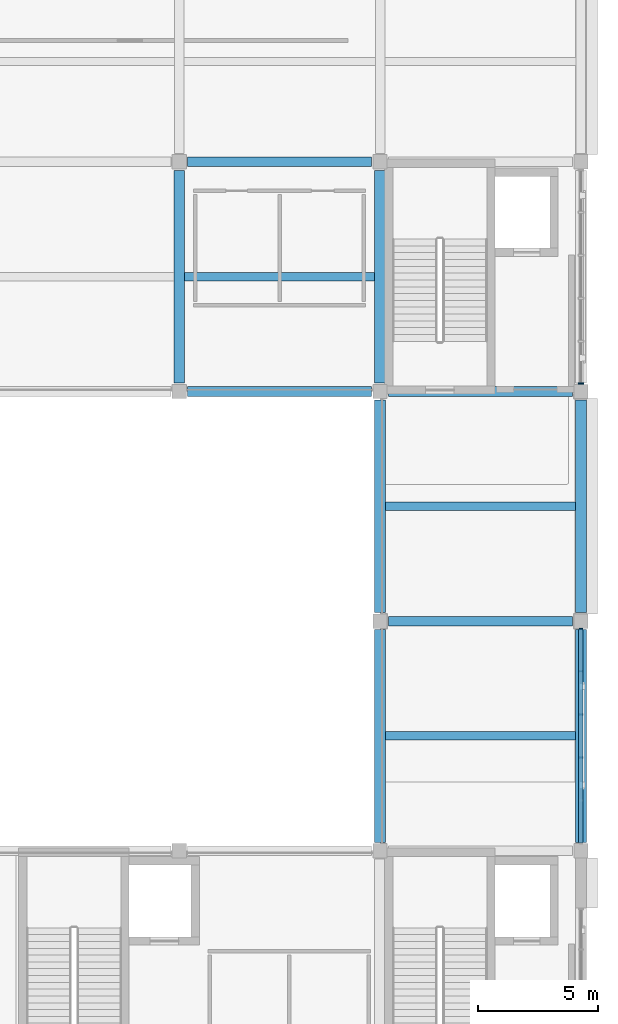
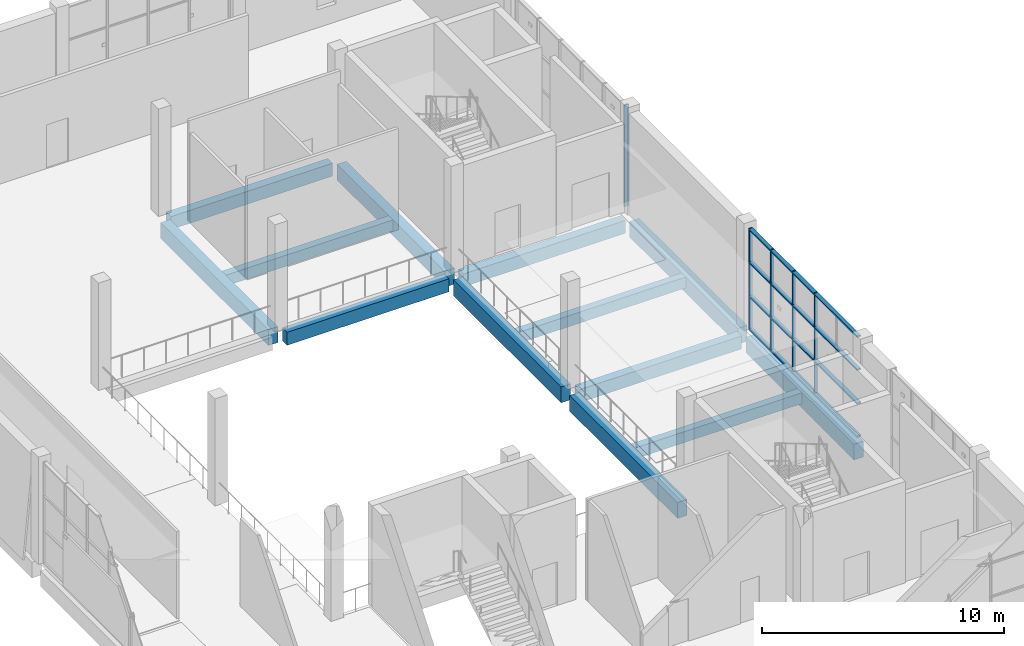
# One storey, part 25 of 57: 13 beams, 9 members, 2 elements without a shape of their own.
"""IFC4 building model written with IfcOpenShell, lengths in metres."""

import ifcopenshell
import ifcopenshell.guid

model = None  # the IFC model being written
_history = None  # IfcOwnerHistory: only IFC2X3 demands one
_inside = {}  # id of a spatial element -> (the spatial element, [elements in it])
_under = {}  # id of a project, library or spatial element -> (it, [spatial elements below it])
_declared = {}  # id of a project -> (the project, [libraries it declares])
_typed = {}  # id of a type object -> (the type object, [elements of that type])
_made_of = {}  # id of a material, layer set ... -> (it, [elements and type objects made of it])


def new_model(schema):
    """Start an empty IFC model of exactly this schema.

    Asked for "IFC4X3", IfcOpenShell would pick the latest addendum, in which some entities
    have other attributes; the version numbers below select the first issue.
    IFC2X3 requires an IfcOwnerHistory on every rooted entity: one is made here for all.
    """
    global model, _history
    if schema == "IFC4X3":
        model = ifcopenshell.file(schema_version=(4, 3, 0, 0))
    else:
        model = ifcopenshell.file(schema=schema)
    _inside.clear()
    _under.clear()
    _declared.clear()
    _typed.clear()
    _made_of.clear()
    _history = None
    if model.schema == "IFC2X3":
        org = make("IfcOrganization", Name="unknown")
        user = make(
            "IfcPersonAndOrganization",
            ThePerson=make("IfcPerson", FamilyName="unknown"),
            TheOrganization=org,
        )
        app = make(
            "IfcApplication",
            ApplicationDeveloper=org,
            Version="unknown",
            ApplicationFullName="unknown",
            ApplicationIdentifier="unknown",
        )
        _history = make(
            "IfcOwnerHistory",
            OwningUser=user,
            OwningApplication=app,
            ChangeAction="ADDED",
            CreationDate=0,
        )
    return model


def make(cls, **values):
    """One entity of the class cls with the attributes given. An attribute that is None is left unset."""
    return model.create_entity(
        cls, **{name: value for name, value in values.items() if value is not None}
    )


def rooted(cls, **values):
    """An entity with a GlobalId (a new one), such as an element, a storey or a relation."""
    return make(cls, GlobalId=ifcopenshell.guid.new(), OwnerHistory=_history, **values)


def si_unit(unit_type, name, prefix=None):
    """IfcSIUnit, for example si_unit("LENGTHUNIT", "METRE", prefix="MILLI")."""
    return make("IfcSIUnit", UnitType=unit_type, Prefix=prefix, Name=name)


def assignment(units):
    """IfcUnitAssignment: the units of a project."""
    return None if units is None else make("IfcUnitAssignment", Units=units)


def point(xyz):
    """IfcCartesianPoint."""
    return None if xyz is None else make("IfcCartesianPoint", Coordinates=xyz)


def direction(xyz):
    """IfcDirection."""
    return None if xyz is None else make("IfcDirection", DirectionRatios=xyz)


def frame(location, z_axis=None, x_axis=None):
    """IfcAxis2Placement3D, a coordinate frame: its origin and axes. An axis left out is left unset."""
    return make(
        "IfcAxis2Placement3D",
        Location=point(location),
        Axis=direction(z_axis),
        RefDirection=direction(x_axis),
    )


def frame_2d(location, x_axis=None):
    """IfcAxis2Placement2D, a coordinate frame in the plane: its origin and x axis."""
    return make(
        "IfcAxis2Placement2D", Location=point(location), RefDirection=direction(x_axis)
    )


def origin():
    """The frame at (0, 0, 0) with its axes left unset."""
    return frame((0.0, 0.0, 0.0))


def origin_2d():
    """The frame at (0, 0) in the plane with its x axis left unset."""
    return frame_2d((0.0, 0.0))


def place(relative_to, where):
    """IfcLocalPlacement: puts the frame where relative to a parent placement (None: the world)."""
    return make(
        "IfcLocalPlacement", PlacementRelTo=relative_to, RelativePlacement=where
    )


def context(
    kind, dimensions, precision=None, world=None, true_north=None, identifier=None
):
    """IfcGeometricRepresentationContext, for example the 3D "Model" context."""
    return make(
        "IfcGeometricRepresentationContext",
        ContextIdentifier=identifier,
        ContextType=kind,
        CoordinateSpaceDimension=dimensions,
        Precision=precision,
        WorldCoordinateSystem=world,
        TrueNorth=true_north,
    )


def subcontext(parent, identifier, kind, view, scale=None):
    """IfcGeometricRepresentationSubContext, for example "Body" below "Model"."""
    return make(
        "IfcGeometricRepresentationSubContext",
        ContextIdentifier=identifier,
        ContextType=kind,
        ParentContext=parent,
        TargetScale=scale,
        TargetView=view,
    )


def project(units=None, contexts=None):
    """IfcProject with its units and contexts."""
    return rooted(
        "IfcProject",
        Name="project",
        RepresentationContexts=contexts,
        UnitsInContext=assignment(units),
    )


def spatial(cls, under=None, at=None, **own):
    """A site, building, storey or space (cls), placed at a placement, below another one or the project."""
    s = rooted(cls, ObjectPlacement=at, **own)
    if under is not None:
        _under.setdefault(under.id(), (under, []))[1].append(s)
    return s


def profile(cls, at=None, kind="AREA", **sizes):
    """A parametric profile (cls). Its sizes go by their IFC names, for example OverallWidth=200.0."""
    return make(cls, ProfileType=kind, Position=at, **sizes)


def rectangle(**sizes):
    """IfcRectangleProfileDef."""
    return profile("IfcRectangleProfileDef", **sizes)


def extrude(swept, where, along, depth):
    """IfcExtrudedAreaSolid: the profile swept, set in the frame where, extruded along a direction by depth."""
    return make(
        "IfcExtrudedAreaSolid",
        SweptArea=swept,
        Position=where,
        ExtrudedDirection=direction(along),
        Depth=depth,
    )


def shape(context_of_items, identifier, shape_type, items):
    """IfcShapeRepresentation: the items that make up one representation, for example the "Body"."""
    return make(
        "IfcShapeRepresentation",
        ContextOfItems=context_of_items,
        RepresentationIdentifier=identifier,
        RepresentationType=shape_type,
        Items=items,
    )


def material(Name=None, Category=None):
    """IfcMaterial."""
    return make("IfcMaterial", Name=Name, Category=Category)


def material_profile(
    of_material, cross_section, Name=None, Category=None, Priority=None
):
    """IfcMaterialProfile: a cross section and its material."""
    return make(
        "IfcMaterialProfile",
        Name=Name,
        Material=of_material,
        Profile=cross_section,
        Priority=Priority,
        Category=Category,
    )


def profile_set(profiles, Name=None, composite=None):
    """IfcMaterialProfileSet."""
    return make(
        "IfcMaterialProfileSet",
        Name=Name,
        MaterialProfiles=profiles,
        CompositeProfile=composite,
    )


def made_of(thing, what):
    """Note that an element or type object is made of a material, layer set ...; save() writes the relation."""
    if what is not None:
        _made_of.setdefault(what.id(), (what, []))[1].append(thing)
    return thing


def type_object(cls, material=None, **own):
    """A type object (cls), such as IfcWallType, which elements share."""
    return made_of(rooted(cls, **own), material)


def element(
    cls,
    number,
    at=None,
    inside=None,
    cuts=None,
    type_object=None,
    material=None,
    context=None,
    identifier="Body",
    shape_type=None,
    held_by="IfcProductDefinitionShape",
    body=None,
    shapes=None,
    **own,
):
    """One element of the class cls, such as IfcWall. Its Tag is "e" and its number.

    at: its placement. inside: the storey or other place that contains it. cuts: it is an
    opening in that element (IfcRelVoidsElement). A single representation is given by context,
    identifier, shape_type and body (its items); several are given by shapes. held_by: the class
    of the entity that holds the representations. save() writes the other relations.
    """
    e = rooted(cls, Tag="e%d" % number, ObjectPlacement=at, **own)
    if body is not None:
        shapes = [shape(context, identifier, shape_type, body)]
    if shapes is not None:
        e.Representation = make(held_by, Representations=shapes)
    if inside is not None:
        _inside.setdefault(inside.id(), (inside, []))[1].append(e)
    if cuts is not None:
        rooted(
            "IfcRelVoidsElement", RelatingBuildingElement=cuts, RelatedOpeningElement=e
        )
    if type_object is not None:
        _typed.setdefault(type_object.id(), (type_object, []))[1].append(e)
    return made_of(e, material)


def aggregate(whole, parts):
    """IfcRelAggregates: a whole, such as a stair, and the parts it consists of."""
    return rooted("IfcRelAggregates", RelatingObject=whole, RelatedObjects=parts)


def save(model, path):
    """Write the relations noted so far, then the file.

    IfcRelAggregates (storeys below a building ...), IfcRelContainedInSpatialStructure (elements
    in a storey), IfcRelDefinesByType, IfcRelAssociatesMaterial and IfcRelDeclares: one each for
    every whole, place, type object, material and project.
    """
    for whole, parts in _under.values():
        aggregate(whole, parts)
    for where, things in _inside.values():
        rooted(
            "IfcRelContainedInSpatialStructure",
            RelatedElements=things,
            RelatingStructure=where,
        )
    for kind, things in _typed.values():
        rooted("IfcRelDefinesByType", RelatedObjects=things, RelatingType=kind)
    for what, things in _made_of.values():
        rooted("IfcRelAssociatesMaterial", RelatedObjects=things, RelatingMaterial=what)
    for by, libraries in _declared.values():
        rooted("IfcRelDeclares", RelatingContext=by, RelatedDefinitions=libraries)
    model.write(path)


model = new_model("IFC4")

# Units and contexts
model_context = context("Model", 3, precision=1e-05, world=origin(), true_north=direction((0.0, 1.0)))
body_context = subcontext(model_context, "Body", "Model", "MODEL_VIEW")
ifc_project = project(units=[si_unit("LENGTHUNIT", "METRE"), si_unit("AREAUNIT", "SQUARE_METRE"), si_unit("VOLUMEUNIT", "CUBIC_METRE"), si_unit("PLANEANGLEUNIT", "RADIAN"), si_unit("MASSUNIT", "GRAM", prefix="KILO")], contexts=[model_context])

# Site, building, storey
site_placement = place(None, origin())
site = spatial("IfcSite", under=ifc_project, at=site_placement, CompositionType="ELEMENT")
building_placement = place(site_placement, origin())
building = spatial("IfcBuilding", under=site, at=building_placement, Name="Shalvenor Court Art Gallery", CompositionType="ELEMENT")
storey_placement = place(building_placement, frame((0.0, 0.0, 16.800048828125)))
storey = spatial("IfcBuildingStorey", under=building, at=storey_placement, Name="L03", CompositionType="ELEMENT", Elevation=16.800048828125)

# Beams
ifc_material_1 = material(Name="Concrete C40/50", Category="concrete")
ifc_material_profile_1 = material_profile(ifc_material_1, rectangle(XDim=0.449951171875, YDim=0.800048828125, at=origin_2d()), Name="RC 450x800")
ifc_profile_set_1 = profile_set([ifc_material_profile_1], Name="Concrete C40/50")
beam_type_1 = type_object("IfcBeamType", Name="B-03", PredefinedType="BEAM", material=ifc_profile_set_1)
for number, where, z_axis, x_axis, name in (
    (1, (159.60009765625, 79.550048828125, -0.699951171875), (0.0, 1.0, 0.0), (-1.0, 0.0, 0.0), "L03 Girder BM-L03-B-03-1026"),
    (2, (168.0, 60.35009765625, -0.699951171875), (0.0, 1.0, 0.0), (-1.0, 0.0, 0.0), "L03 Girder BM-L03-B-03-1030"),
):
    element("IfcBeam", number, at=place(storey_placement, frame(where, z_axis=z_axis, x_axis=x_axis)), inside=storey, type_object=beam_type_1, Name=name, PredefinedType="BEAM", context=body_context, shape_type="SweptSolid", body=[
        extrude(rectangle(XDim=0.449951171875, YDim=0.800048828125, at=origin_2d()), origin(), (0.0, 0.0, 1.0), 8.89990234375),
    ])
beam_1_placement = place(storey_placement, frame((168.0, 69.949951171875, -0.699951171875), z_axis=(0.0, 1.0, 0.0), x_axis=(-1.0, 0.0, 0.0)))
element("IfcBeam", 3, at=beam_1_placement, inside=storey, type_object=beam_type_1, Name="L03 Girder BM-L03-B-03-1031", PredefinedType="BEAM", context=body_context, shape_type="SweptSolid", body=[
    extrude(rectangle(XDim=0.449951171875, YDim=0.800048828125, at=origin_2d()), origin(), (0.0, 0.0, 1.0), 8.900146484375),
])
for number, where, z_axis, x_axis, name in (
    (4, (168.0, 79.550048828125, -0.699951171875), (0.0, 1.0, 0.0), (-1.0, 0.0, 0.0), "L03 Girder BM-L03-B-03-1032"),
    (5, (176.39990234375, 60.35009765625, -0.699951171875), (0.0, 1.0, 0.0), (-1.0, 0.0, 0.0), "L03 Girder BM-L03-B-03-1036"),
):
    element("IfcBeam", number, at=place(storey_placement, frame(where, z_axis=z_axis, x_axis=x_axis)), inside=storey, type_object=beam_type_1, Name=name, PredefinedType="BEAM", context=body_context, shape_type="SweptSolid", body=[
        extrude(rectangle(XDim=0.449951171875, YDim=0.800048828125, at=origin_2d()), origin(), (0.0, 0.0, 1.0), 8.89990234375),
    ])
beam_2_placement = place(storey_placement, frame((176.39990234375, 69.949951171875, -0.699951171875), z_axis=(0.0, 1.0, 0.0), x_axis=(-1.0, 0.0, 0.0)))
element("IfcBeam", 6, at=beam_2_placement, inside=storey, type_object=beam_type_1, Name="L03 Girder BM-L03-B-03-1037", PredefinedType="BEAM", context=body_context, shape_type="SweptSolid", body=[
    extrude(rectangle(XDim=0.449951171875, YDim=0.800048828125, at=origin_2d()), origin(), (0.0, 0.0, 1.0), 8.900146484375),
])
ifc_material_2 = material(Name="Concrete C40/50", Category="concrete")
ifc_material_profile_2 = material_profile(ifc_material_2, rectangle(XDim=0.39990234375, YDim=0.64990234375, at=origin_2d()), Name="RC 400x650")
ifc_profile_set_2 = profile_set([ifc_material_profile_2], Name="Concrete C40/50")
beam_type_2 = type_object("IfcBeamType", Name="B-06", PredefinedType="BEAM", material=ifc_profile_set_2)
for number, where, z_axis, x_axis, name in (
    (7, (168.35009765625, 69.60009765625, -0.625), (1.0, 0.0, 0.0), (0.0, 1.0, 0.0), "L03 Girder BM-L03-B-06-1080"),
    (8, (159.949951171875, 79.199951171875, -0.625), (1.0, 0.0, 0.0), (0.0, 1.0, 0.0), "L03 Girder BM-L03-B-06-1083"),
    (9, (168.35009765625, 79.199951171875, -0.625), (1.0, 0.0, 0.0), (0.0, 1.0, 0.0), "L03 Girder BM-L03-B-06-1084"),
    (10, (159.949951171875, 88.800048828125, -0.625), (1.0, 0.0, 0.0), (0.0, 1.0, 0.0), "L03 Girder BM-L03-B-06-1090"),
):
    element("IfcBeam", number, at=place(storey_placement, frame(where, z_axis=z_axis, x_axis=x_axis)), inside=storey, type_object=beam_type_2, Name=name, PredefinedType="BEAM", context=body_context, shape_type="SweptSolid", body=[
        extrude(rectangle(XDim=0.39990234375, YDim=0.64990234375, at=origin_2d()), origin(), (0.0, 0.0, 1.0), 7.699951171875),
    ])

# Curtain wall, member
ifc_material_3 = material(Name="Anodised aluminium and low-iron glass curtain wall", Category="aluminium")
curtain_wall_type_1 = type_object("IfcCurtainWallType", Name="CW-5x3-90-51-422", PredefinedType="USERDEFINED", material=ifc_material_3)
curtain_wall_1_placement = place(storey_placement, origin())
curtain_wall_1 = element("IfcCurtainWall", 11, at=curtain_wall_1_placement, inside=storey, type_object=curtain_wall_type_1, Name="L03 V1 Curtain Wall CW-L03-022", ObjectType="CURTAIN WALL", PredefinedType="USERDEFINED")
ifc_material_4 = material(Name="Anodised aluminium mullion", Category="aluminium")
ifc_material_profile_3 = material_profile(ifc_material_4, rectangle(XDim=0.074951171875, YDim=0.219970703125, at=origin_2d()), Name="CWM-04")
ifc_profile_set_3 = profile_set([ifc_material_profile_3], Name="Anodised aluminium mullion")
member_type_1 = type_object("IfcMemberType", Name="CWM-04", PredefinedType="MULLION", material=ifc_profile_set_3)
member_1_placement = place(storey_placement, frame((176.39990234375, 79.53759765625, 0.0), z_axis=(0.0, 0.0, 1.0), x_axis=(0.0, -1.0, 0.0)))
member_1 = element("IfcMember", 12, at=member_1_placement, type_object=member_type_1, Name="CW-5x3-90-51-422 mullion 6", PredefinedType="MULLION", context=body_context, shape_type="SweptSolid", body=[
    extrude(rectangle(XDim=0.074951171875, YDim=0.219970703125, at=origin_2d()), origin(), (0.0, 0.0, 1.0), 5.099853515625),
])
aggregate(curtain_wall_1, [member_1])

# Curtain wall, members
ifc_material_5 = material(Name="Anodised aluminium and low-iron glass curtain wall", Category="aluminium")
curtain_wall_type_2 = type_object("IfcCurtainWallType", Name="CW-5x3-90-51-642", PredefinedType="USERDEFINED", material=ifc_material_5)
curtain_wall_2_placement = place(storey_placement, origin())
curtain_wall_2 = element("IfcCurtainWall", 13, at=curtain_wall_2_placement, inside=storey, type_object=curtain_wall_type_2, Name="L03 V1 Curtain Wall CW-L03-023", ObjectType="CURTAIN WALL", PredefinedType="USERDEFINED")
ifc_material_6 = material(Name="Anodised aluminium mullion", Category="aluminium")
ifc_material_profile_4 = material_profile(ifc_material_6, rectangle(XDim=0.054931640625, YDim=0.139892578125, at=origin_2d()), Name="CWM-06")
ifc_profile_set_4 = profile_set([ifc_material_profile_4], Name="Anodised aluminium mullion")
member_type_2 = type_object("IfcMemberType", Name="CWM-06", PredefinedType="MULLION", material=ifc_profile_set_4)
member_2_placement = place(storey_placement, frame((176.39990234375, 69.2724609375, 0.0), z_axis=(0.0, 0.0, 1.0), x_axis=(0.0, -1.0, 0.0)))
member_2 = element("IfcMember", 14, at=member_2_placement, type_object=member_type_2, Name="CW-5x3-90-51-642 mullion 1", PredefinedType="MULLION", context=body_context, shape_type="SweptSolid", body=[
    extrude(rectangle(XDim=0.054931640625, YDim=0.139892578125, at=origin_2d()), origin(), (0.0, 0.0, 1.0), 5.099853515625),
])
member_3_placement = place(storey_placement, frame((176.39990234375, 67.5, 0.0), z_axis=(0.0, 0.0, 1.0), x_axis=(0.0, -1.0, 0.0)))
member_3 = element("IfcMember", 15, at=member_3_placement, type_object=member_type_2, Name="CW-5x3-90-51-642 mullion 2", PredefinedType="MULLION", context=body_context, shape_type="SweptSolid", body=[
    extrude(rectangle(XDim=0.054931640625, YDim=0.139892578125, at=origin_2d()), origin(), (0.0, 0.0, 1.0), 5.099853515625),
])
member_4_placement = place(storey_placement, frame((176.39990234375, 65.699951171875, 0.0), z_axis=(0.0, 0.0, 1.0), x_axis=(0.0, -1.0, 0.0)))
member_4 = element("IfcMember", 16, at=member_4_placement, type_object=member_type_2, Name="CW-5x3-90-51-642 mullion 3", PredefinedType="MULLION", context=body_context, shape_type="SweptSolid", body=[
    extrude(rectangle(XDim=0.054931640625, YDim=0.139892578125, at=origin_2d()), origin(), (0.0, 0.0, 1.0), 5.099853515625),
])
member_5_placement = place(storey_placement, frame((176.39990234375, 63.89990234375, 0.0), z_axis=(0.0, 0.0, 1.0), x_axis=(0.0, -1.0, 0.0)))
member_5 = element("IfcMember", 17, at=member_5_placement, type_object=member_type_2, Name="CW-5x3-90-51-642 mullion 4", PredefinedType="MULLION", context=body_context, shape_type="SweptSolid", body=[
    extrude(rectangle(XDim=0.054931640625, YDim=0.139892578125, at=origin_2d()), origin(), (0.0, 0.0, 1.0), 5.099853515625),
])
ifc_material_7 = material(Name="Anodised aluminium transom", Category="aluminium")
ifc_material_profile_5 = material_profile(ifc_material_7, rectangle(XDim=0.18994140625, YDim=0.070068359375, at=origin_2d()), Name="CWT-04")
ifc_profile_set_5 = profile_set([ifc_material_profile_5], Name="Anodised aluminium transom")
member_type_3 = type_object("IfcMemberType", Name="CWT-04", PredefinedType="USERDEFINED", material=ifc_profile_set_5)
member_6_placement = place(storey_placement, frame((176.39990234375, 69.2724609375, 0.034912109375), z_axis=(0.0, -1.0, 0.0), x_axis=(1.0, 0.0, 0.0)))
member_6 = element("IfcMember", 18, at=member_6_placement, type_object=member_type_3, Name="CW-5x3-90-51-642 transom 1", ObjectType="TRANSOM", PredefinedType="USERDEFINED", context=body_context, shape_type="SweptSolid", body=[
    extrude(rectangle(XDim=0.18994140625, YDim=0.070068359375, at=origin_2d()), origin(), (0.0, 0.0, 1.0), 8.945068359375),
])
member_7_placement = place(storey_placement, frame((176.39990234375, 69.2724609375, 1.699951171875), z_axis=(0.0, -1.0, 0.0), x_axis=(1.0, 0.0, 0.0)))
member_7 = element("IfcMember", 19, at=member_7_placement, type_object=member_type_3, Name="CW-5x3-90-51-642 transom 2", ObjectType="TRANSOM", PredefinedType="USERDEFINED", context=body_context, shape_type="SweptSolid", body=[
    extrude(rectangle(XDim=0.18994140625, YDim=0.070068359375, at=origin_2d()), origin(), (0.0, 0.0, 1.0), 8.945068359375),
])
member_8_placement = place(storey_placement, frame((176.39990234375, 69.2724609375, 3.39990234375), z_axis=(0.0, -1.0, 0.0), x_axis=(1.0, 0.0, 0.0)))
member_8 = element("IfcMember", 20, at=member_8_placement, type_object=member_type_3, Name="CW-5x3-90-51-642 transom 3", ObjectType="TRANSOM", PredefinedType="USERDEFINED", context=body_context, shape_type="SweptSolid", body=[
    extrude(rectangle(XDim=0.18994140625, YDim=0.070068359375, at=origin_2d()), origin(), (0.0, 0.0, 1.0), 8.945068359375),
])
member_9_placement = place(storey_placement, frame((176.39990234375, 69.2724609375, 5.06494140625), z_axis=(0.0, -1.0, 0.0), x_axis=(1.0, 0.0, 0.0)))
member_9 = element("IfcMember", 21, at=member_9_placement, type_object=member_type_3, Name="CW-5x3-90-51-642 transom 4", ObjectType="TRANSOM", PredefinedType="USERDEFINED", context=body_context, shape_type="SweptSolid", body=[
    extrude(rectangle(XDim=0.18994140625, YDim=0.070068359375, at=origin_2d()), origin(), (0.0, 0.0, 1.0), 8.945068359375),
])
aggregate(curtain_wall_2, [member_2, member_3, member_4, member_5, member_6, member_7, member_8, member_9])

# Beams
ifc_material_8 = material(Name="Concrete C40/50", Category="concrete")
ifc_material_profile_6 = material_profile(ifc_material_8, rectangle(XDim=0.35009765625, YDim=0.550048828125, at=origin_2d()), Name="RC 350x550")
ifc_profile_set_6 = profile_set([ifc_material_profile_6], Name="Concrete C40/50")
beam_type_3 = type_object("IfcBeamType", Name="J-02", PredefinedType="JOIST", material=ifc_profile_set_6)
for number, where, z_axis, x_axis, name in (
    (22, (159.824951171875, 84.0, -0.574951171875), (1.0, 0.0, 0.0), (0.0, 1.0, 0.0), "L03 Secondary Beam JST-L03-J-02-1162"),
    (23, (168.22509765625, 64.800048828125, -0.574951171875), (1.0, 0.0, 0.0), (0.0, 1.0, 0.0), "L03 Secondary Beam JST-L03-J-02-1165"),
    (24, (168.22509765625, 74.39990234375, -0.574951171875), (1.0, 0.0, 0.0), (0.0, 1.0, 0.0), "L03 Secondary Beam JST-L03-J-02-1166"),
):
    element("IfcBeam", number, at=place(storey_placement, frame(where, z_axis=z_axis, x_axis=x_axis)), inside=storey, type_object=beam_type_3, Name=name, PredefinedType="JOIST", context=body_context, shape_type="SweptSolid", body=[
        extrude(rectangle(XDim=0.35009765625, YDim=0.550048828125, at=origin_2d()), origin(), (0.0, 0.0, 1.0), 7.949951171875),
    ])

save(model, "model.ifc")
